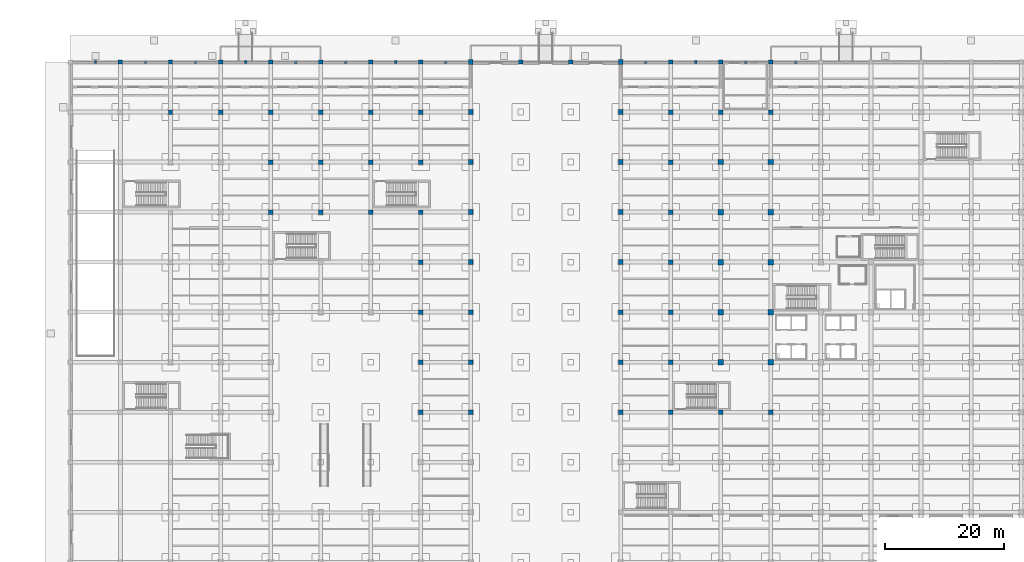
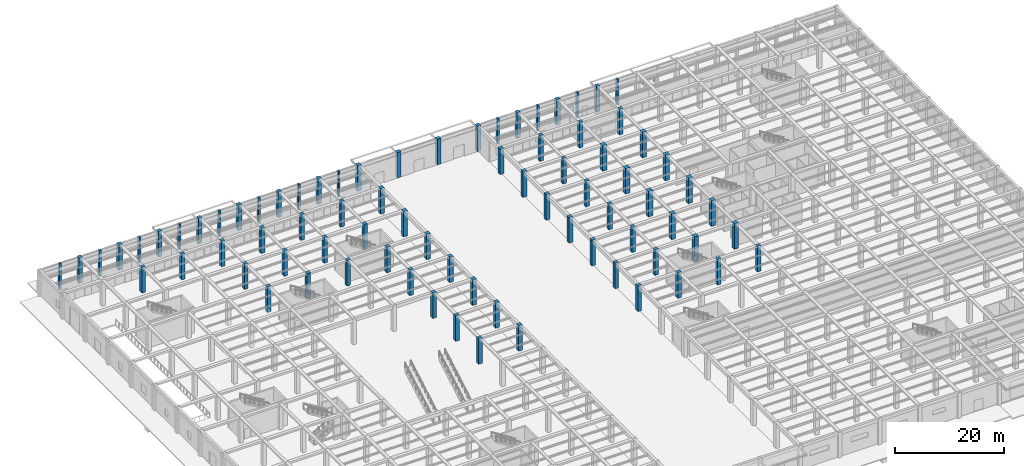
# One storey, part 2 of 43: 79 columns.
"""IFC4 building model written with IfcOpenShell, lengths in metres."""

import ifcopenshell
import ifcopenshell.guid

model = None  # the IFC model being written
_history = None  # IfcOwnerHistory: only IFC2X3 demands one
_inside = {}  # id of a spatial element -> (the spatial element, [elements in it])
_under = {}  # id of a project, library or spatial element -> (it, [spatial elements below it])
_declared = {}  # id of a project -> (the project, [libraries it declares])
_typed = {}  # id of a type object -> (the type object, [elements of that type])
_made_of = {}  # id of a material, layer set ... -> (it, [elements and type objects made of it])


def new_model(schema):
    """Start an empty IFC model of exactly this schema.

    Asked for "IFC4X3", IfcOpenShell would pick the latest addendum, in which some entities
    have other attributes; the version numbers below select the first issue.
    IFC2X3 requires an IfcOwnerHistory on every rooted entity: one is made here for all.
    """
    global model, _history
    if schema == "IFC4X3":
        model = ifcopenshell.file(schema_version=(4, 3, 0, 0))
    else:
        model = ifcopenshell.file(schema=schema)
    _inside.clear()
    _under.clear()
    _declared.clear()
    _typed.clear()
    _made_of.clear()
    _history = None
    if model.schema == "IFC2X3":
        org = make("IfcOrganization", Name="unknown")
        user = make(
            "IfcPersonAndOrganization",
            ThePerson=make("IfcPerson", FamilyName="unknown"),
            TheOrganization=org,
        )
        app = make(
            "IfcApplication",
            ApplicationDeveloper=org,
            Version="unknown",
            ApplicationFullName="unknown",
            ApplicationIdentifier="unknown",
        )
        _history = make(
            "IfcOwnerHistory",
            OwningUser=user,
            OwningApplication=app,
            ChangeAction="ADDED",
            CreationDate=0,
        )
    return model


def make(cls, **values):
    """One entity of the class cls with the attributes given. An attribute that is None is left unset."""
    return model.create_entity(
        cls, **{name: value for name, value in values.items() if value is not None}
    )


def rooted(cls, **values):
    """An entity with a GlobalId (a new one), such as an element, a storey or a relation."""
    return make(cls, GlobalId=ifcopenshell.guid.new(), OwnerHistory=_history, **values)


def si_unit(unit_type, name, prefix=None):
    """IfcSIUnit, for example si_unit("LENGTHUNIT", "METRE", prefix="MILLI")."""
    return make("IfcSIUnit", UnitType=unit_type, Prefix=prefix, Name=name)


def assignment(units):
    """IfcUnitAssignment: the units of a project."""
    return None if units is None else make("IfcUnitAssignment", Units=units)


def point(xyz):
    """IfcCartesianPoint."""
    return None if xyz is None else make("IfcCartesianPoint", Coordinates=xyz)


def direction(xyz):
    """IfcDirection."""
    return None if xyz is None else make("IfcDirection", DirectionRatios=xyz)


def frame(location, z_axis=None, x_axis=None):
    """IfcAxis2Placement3D, a coordinate frame: its origin and axes. An axis left out is left unset."""
    return make(
        "IfcAxis2Placement3D",
        Location=point(location),
        Axis=direction(z_axis),
        RefDirection=direction(x_axis),
    )


def frame_2d(location, x_axis=None):
    """IfcAxis2Placement2D, a coordinate frame in the plane: its origin and x axis."""
    return make(
        "IfcAxis2Placement2D", Location=point(location), RefDirection=direction(x_axis)
    )


def origin():
    """The frame at (0, 0, 0) with its axes left unset."""
    return frame((0.0, 0.0, 0.0))


def origin_2d():
    """The frame at (0, 0) in the plane with its x axis left unset."""
    return frame_2d((0.0, 0.0))


def place(relative_to, where):
    """IfcLocalPlacement: puts the frame where relative to a parent placement (None: the world)."""
    return make(
        "IfcLocalPlacement", PlacementRelTo=relative_to, RelativePlacement=where
    )


def context(
    kind, dimensions, precision=None, world=None, true_north=None, identifier=None
):
    """IfcGeometricRepresentationContext, for example the 3D "Model" context."""
    return make(
        "IfcGeometricRepresentationContext",
        ContextIdentifier=identifier,
        ContextType=kind,
        CoordinateSpaceDimension=dimensions,
        Precision=precision,
        WorldCoordinateSystem=world,
        TrueNorth=true_north,
    )


def subcontext(parent, identifier, kind, view, scale=None):
    """IfcGeometricRepresentationSubContext, for example "Body" below "Model"."""
    return make(
        "IfcGeometricRepresentationSubContext",
        ContextIdentifier=identifier,
        ContextType=kind,
        ParentContext=parent,
        TargetScale=scale,
        TargetView=view,
    )


def project(units=None, contexts=None):
    """IfcProject with its units and contexts."""
    return rooted(
        "IfcProject",
        Name="project",
        RepresentationContexts=contexts,
        UnitsInContext=assignment(units),
    )


def spatial(cls, under=None, at=None, **own):
    """A site, building, storey or space (cls), placed at a placement, below another one or the project."""
    s = rooted(cls, ObjectPlacement=at, **own)
    if under is not None:
        _under.setdefault(under.id(), (under, []))[1].append(s)
    return s


def profile(cls, at=None, kind="AREA", **sizes):
    """A parametric profile (cls). Its sizes go by their IFC names, for example OverallWidth=200.0."""
    return make(cls, ProfileType=kind, Position=at, **sizes)


def rectangle(**sizes):
    """IfcRectangleProfileDef."""
    return profile("IfcRectangleProfileDef", **sizes)


def extrude(swept, where, along, depth):
    """IfcExtrudedAreaSolid: the profile swept, set in the frame where, extruded along a direction by depth."""
    return make(
        "IfcExtrudedAreaSolid",
        SweptArea=swept,
        Position=where,
        ExtrudedDirection=direction(along),
        Depth=depth,
    )


def shape(context_of_items, identifier, shape_type, items):
    """IfcShapeRepresentation: the items that make up one representation, for example the "Body"."""
    return make(
        "IfcShapeRepresentation",
        ContextOfItems=context_of_items,
        RepresentationIdentifier=identifier,
        RepresentationType=shape_type,
        Items=items,
    )


def material(Name=None, Category=None):
    """IfcMaterial."""
    return make("IfcMaterial", Name=Name, Category=Category)


def material_profile(
    of_material, cross_section, Name=None, Category=None, Priority=None
):
    """IfcMaterialProfile: a cross section and its material."""
    return make(
        "IfcMaterialProfile",
        Name=Name,
        Material=of_material,
        Profile=cross_section,
        Priority=Priority,
        Category=Category,
    )


def profile_set(profiles, Name=None, composite=None):
    """IfcMaterialProfileSet."""
    return make(
        "IfcMaterialProfileSet",
        Name=Name,
        MaterialProfiles=profiles,
        CompositeProfile=composite,
    )


def made_of(thing, what):
    """Note that an element or type object is made of a material, layer set ...; save() writes the relation."""
    if what is not None:
        _made_of.setdefault(what.id(), (what, []))[1].append(thing)
    return thing


def type_object(cls, material=None, **own):
    """A type object (cls), such as IfcWallType, which elements share."""
    return made_of(rooted(cls, **own), material)


def element(
    cls,
    number,
    at=None,
    inside=None,
    cuts=None,
    type_object=None,
    material=None,
    context=None,
    identifier="Body",
    shape_type=None,
    held_by="IfcProductDefinitionShape",
    body=None,
    shapes=None,
    **own,
):
    """One element of the class cls, such as IfcWall. Its Tag is "e" and its number.

    at: its placement. inside: the storey or other place that contains it. cuts: it is an
    opening in that element (IfcRelVoidsElement). A single representation is given by context,
    identifier, shape_type and body (its items); several are given by shapes. held_by: the class
    of the entity that holds the representations. save() writes the other relations.
    """
    e = rooted(cls, Tag="e%d" % number, ObjectPlacement=at, **own)
    if body is not None:
        shapes = [shape(context, identifier, shape_type, body)]
    if shapes is not None:
        e.Representation = make(held_by, Representations=shapes)
    if inside is not None:
        _inside.setdefault(inside.id(), (inside, []))[1].append(e)
    if cuts is not None:
        rooted(
            "IfcRelVoidsElement", RelatingBuildingElement=cuts, RelatedOpeningElement=e
        )
    if type_object is not None:
        _typed.setdefault(type_object.id(), (type_object, []))[1].append(e)
    return made_of(e, material)


def aggregate(whole, parts):
    """IfcRelAggregates: a whole, such as a stair, and the parts it consists of."""
    return rooted("IfcRelAggregates", RelatingObject=whole, RelatedObjects=parts)


def save(model, path):
    """Write the relations noted so far, then the file.

    IfcRelAggregates (storeys below a building ...), IfcRelContainedInSpatialStructure (elements
    in a storey), IfcRelDefinesByType, IfcRelAssociatesMaterial and IfcRelDeclares: one each for
    every whole, place, type object, material and project.
    """
    for whole, parts in _under.values():
        aggregate(whole, parts)
    for where, things in _inside.values():
        rooted(
            "IfcRelContainedInSpatialStructure",
            RelatedElements=things,
            RelatingStructure=where,
        )
    for kind, things in _typed.values():
        rooted("IfcRelDefinesByType", RelatedObjects=things, RelatingType=kind)
    for what, things in _made_of.values():
        rooted("IfcRelAssociatesMaterial", RelatedObjects=things, RelatingMaterial=what)
    for by, libraries in _declared.values():
        rooted("IfcRelDeclares", RelatingContext=by, RelatedDefinitions=libraries)
    model.write(path)


model = new_model("IFC4")

# Units and contexts
model_context = context("Model", 3, precision=1e-05, world=origin(), true_north=direction((0.0, 1.0)))
body_context = subcontext(model_context, "Body", "Model", "MODEL_VIEW")
ifc_project = project(units=[si_unit("LENGTHUNIT", "METRE"), si_unit("AREAUNIT", "SQUARE_METRE"), si_unit("VOLUMEUNIT", "CUBIC_METRE"), si_unit("PLANEANGLEUNIT", "RADIAN"), si_unit("MASSUNIT", "GRAM", prefix="KILO")], contexts=[model_context])

# Site, building, storey
site_placement = place(None, origin())
site = spatial("IfcSite", under=ifc_project, at=site_placement, CompositionType="ELEMENT")
building_placement = place(site_placement, origin())
building = spatial("IfcBuilding", under=site, at=building_placement, Name="Almacenes y Pasaje Nevantli", CompositionType="ELEMENT")
storey_placement = place(building_placement, origin())
storey = spatial("IfcBuildingStorey", under=building, at=storey_placement, Name="L01", CompositionType="ELEMENT", Elevation=0.0)

# Columns
ifc_material_1 = material(Name="Concrete C45/55", Category="concrete")
ifc_material_profile_1 = material_profile(ifc_material_1, rectangle(XDim=0.75, YDim=0.75, at=origin_2d()), Name="RC-COL-750x750")
ifc_profile_set_1 = profile_set([ifc_material_profile_1], Name="Concrete C45/55")
column_type_1 = type_object("IfcColumnType", Name="COL-RC-750", PredefinedType="COLUMN", material=ifc_profile_set_1)
for number, where, z_axis, x_axis, name in (
    (1, (8.39990234375, 117.60009765625, 0.0), (0.0, 0.0, 1.0), (1.0, 0.0, 0.0), "L01 Reinforced Concrete Column CL-05 #705"),
    (2, (16.800048828125, 109.199951171875, 0.0), (0.0, 0.0, 1.0), (1.0, 0.0, 0.0), "L01 Reinforced Concrete Column CL-05 #716"),
    (3, (16.800048828125, 117.60009765625, 0.0), (0.0, 0.0, 1.0), (1.0, 0.0, 0.0), "L01 Reinforced Concrete Column CL-05 #717"),
    (4, (25.199951171875, 109.199951171875, 0.0), (0.0, 0.0, 1.0), (1.0, 0.0, 0.0), "L01 Reinforced Concrete Column CL-05 #731"),
    (5, (25.199951171875, 117.60009765625, 0.0), (0.0, 0.0, 1.0), (1.0, 0.0, 0.0), "L01 Reinforced Concrete Column CL-05 #732"),
    (6, (33.60009765625, 92.39990234375, 0.0), (0.0, 0.0, 1.0), (1.0, 0.0, 0.0), "L01 Reinforced Concrete Column CL-05 #744"),
    (7, (33.60009765625, 100.800048828125, 0.0), (0.0, 0.0, 1.0), (1.0, 0.0, 0.0), "L01 Reinforced Concrete Column CL-05 #745"),
    (8, (33.60009765625, 109.199951171875, 0.0), (0.0, 0.0, 1.0), (1.0, 0.0, 0.0), "L01 Reinforced Concrete Column CL-05 #746"),
    (9, (33.60009765625, 117.60009765625, 0.0), (0.0, 0.0, 1.0), (1.0, 0.0, 0.0), "L01 Reinforced Concrete Column CL-05 #747"),
    (10, (42.0, 92.39990234375, 0.0), (0.0, 0.0, 1.0), (1.0, 0.0, 0.0), "L01 Reinforced Concrete Column CL-05 #756"),
    (11, (42.0, 100.800048828125, 0.0), (0.0, 0.0, 1.0), (1.0, 0.0, 0.0), "L01 Reinforced Concrete Column CL-05 #757"),
    (12, (42.0, 109.199951171875, 0.0), (0.0, 0.0, 1.0), (1.0, 0.0, 0.0), "L01 Reinforced Concrete Column CL-05 #758"),
    (13, (42.0, 117.60009765625, 0.0), (0.0, 0.0, 1.0), (1.0, 0.0, 0.0), "L01 Reinforced Concrete Column CL-05 #759"),
    (14, (50.39990234375, 92.39990234375, 0.0), (0.0, 0.0, 1.0), (1.0, 0.0, 0.0), "L01 Reinforced Concrete Column CL-05 #768"),
    (15, (50.39990234375, 100.800048828125, 0.0), (0.0, 0.0, 1.0), (1.0, 0.0, 0.0), "L01 Reinforced Concrete Column CL-05 #769"),
    (16, (50.39990234375, 109.199951171875, 0.0), (0.0, 0.0, 1.0), (1.0, 0.0, 0.0), "L01 Reinforced Concrete Column CL-05 #770"),
    (17, (50.39990234375, 117.60009765625, 0.0), (0.0, 0.0, 1.0), (1.0, 0.0, 0.0), "L01 Reinforced Concrete Column CL-05 #771"),
    (18, (58.800048828125, 58.800048828125, 0.0), (0.0, 0.0, 1.0), (1.0, 0.0, 0.0), "L01 Reinforced Concrete Column CL-05 #779"),
    (19, (58.800048828125, 67.199951171875, 0.0), (0.0, 0.0, 1.0), (1.0, 0.0, 0.0), "L01 Reinforced Concrete Column CL-05 #780"),
    (20, (58.800048828125, 75.60009765625, 0.0), (0.0, 0.0, 1.0), (1.0, 0.0, 0.0), "L01 Reinforced Concrete Column CL-05 #781"),
    (21, (58.800048828125, 84.0, 0.0), (0.0, 0.0, 1.0), (1.0, 0.0, 0.0), "L01 Reinforced Concrete Column CL-05 #782"),
    (22, (58.800048828125, 92.39990234375, 0.0), (0.0, 0.0, 1.0), (1.0, 0.0, 0.0), "L01 Reinforced Concrete Column CL-05 #783"),
    (23, (58.800048828125, 100.800048828125, 0.0), (0.0, 0.0, 1.0), (1.0, 0.0, 0.0), "L01 Reinforced Concrete Column CL-05 #784"),
    (24, (58.800048828125, 109.199951171875, 0.0), (0.0, 0.0, 1.0), (1.0, 0.0, 0.0), "L01 Reinforced Concrete Column CL-05 #785"),
    (25, (58.800048828125, 117.60009765625, 0.0), (0.0, 0.0, 1.0), (1.0, 0.0, 0.0), "L01 Reinforced Concrete Column CL-05 #786"),
    (26, (75.60009765625, 117.60009765625, 0.0), (0.0, 0.0, 1.0), (1.0, 0.0, 0.0), "L01 Reinforced Concrete Column CL-05 #803"),
    (27, (84.0, 117.60009765625, 0.0), (0.0, 0.0, 1.0), (1.0, 0.0, 0.0), "L01 Reinforced Concrete Column CL-05 #805"),
    (28, (100.800048828125, 58.800048828125, 0.0), (0.0, 0.0, 1.0), (1.0, 0.0, 0.0), "L01 Reinforced Concrete Column CL-05 #828"),
    (29, (100.800048828125, 67.199951171875, 0.0), (0.0, 0.0, 1.0), (1.0, 0.0, 0.0), "L01 Reinforced Concrete Column CL-05 #829"),
    (30, (100.800048828125, 75.60009765625, 0.0), (0.0, 0.0, 1.0), (1.0, 0.0, 0.0), "L01 Reinforced Concrete Column CL-05 #830"),
    (31, (100.800048828125, 84.0, 0.0), (0.0, 0.0, 1.0), (1.0, 0.0, 0.0), "L01 Reinforced Concrete Column CL-05 #831"),
    (32, (100.800048828125, 92.39990234375, 0.0), (0.0, 0.0, 1.0), (1.0, 0.0, 0.0), "L01 Reinforced Concrete Column CL-05 #832"),
    (33, (100.800048828125, 100.800048828125, 0.0), (0.0, 0.0, 1.0), (1.0, 0.0, 0.0), "L01 Reinforced Concrete Column CL-05 #833"),
    (34, (100.800048828125, 109.199951171875, 0.0), (0.0, 0.0, 1.0), (1.0, 0.0, 0.0), "L01 Reinforced Concrete Column CL-05 #834"),
    (35, (100.800048828125, 117.60009765625, 0.0), (0.0, 0.0, 1.0), (1.0, 0.0, 0.0), "L01 Reinforced Concrete Column CL-05 #835"),
    (36, (109.199951171875, 58.800048828125, 0.0), (0.0, 0.0, 1.0), (1.0, 0.0, 0.0), "L01 Reinforced Concrete Column CL-05 #843"),
    (37, (109.199951171875, 109.199951171875, 0.0), (0.0, 0.0, 1.0), (1.0, 0.0, 0.0), "L01 Reinforced Concrete Column CL-05 #849"),
    (38, (109.199951171875, 117.60009765625, 0.0), (0.0, 0.0, 1.0), (1.0, 0.0, 0.0), "L01 Reinforced Concrete Column CL-05 #850"),
    (39, (117.60009765625, 58.800048828125, 0.0), (0.0, 0.0, 1.0), (1.0, 0.0, 0.0), "L01 Reinforced Concrete Column CL-05 #858"),
    (40, (117.60009765625, 109.199951171875, 0.0), (0.0, 0.0, 1.0), (1.0, 0.0, 0.0), "L01 Reinforced Concrete Column CL-05 #864"),
    (41, (117.60009765625, 117.60009765625, 0.0), (0.0, 0.0, 1.0), (1.0, 0.0, 0.0), "L01 Reinforced Concrete Column CL-05 #865"),
):
    element("IfcColumn", number, at=place(storey_placement, frame(where, z_axis=z_axis, x_axis=x_axis)), inside=storey, type_object=column_type_1, Name=name, PredefinedType="COLUMN", context=body_context, shape_type="SweptSolid", body=[
        extrude(rectangle(XDim=0.75, YDim=0.75, at=origin_2d()), origin(), (0.0, 0.0, 1.0), 5.699951171875),
    ])
ifc_material_2 = material(Name="Concrete C45/55", Category="concrete")
ifc_material_profile_2 = material_profile(ifc_material_2, rectangle(XDim=0.800048828125, YDim=0.800048828125, at=origin_2d()), Name="RC-COL-800x800")
ifc_profile_set_2 = profile_set([ifc_material_profile_2], Name="Concrete C45/55")
column_type_2 = type_object("IfcColumnType", Name="COL-RC-800", PredefinedType="COLUMN", material=ifc_profile_set_2)
for number, where, z_axis, x_axis, name in (
    (42, (67.199951171875, 58.800048828125, 0.0), (0.0, 0.0, 1.0), (1.0, 0.0, 0.0), "L01 Reinforced Concrete Column CL-04 #794"),
    (43, (67.199951171875, 67.199951171875, 0.0), (0.0, 0.0, 1.0), (1.0, 0.0, 0.0), "L01 Reinforced Concrete Column CL-04 #795"),
    (44, (67.199951171875, 75.60009765625, 0.0), (0.0, 0.0, 1.0), (1.0, 0.0, 0.0), "L01 Reinforced Concrete Column CL-04 #796"),
    (45, (67.199951171875, 84.0, 0.0), (0.0, 0.0, 1.0), (1.0, 0.0, 0.0), "L01 Reinforced Concrete Column CL-04 #797"),
    (46, (67.199951171875, 92.39990234375, 0.0), (0.0, 0.0, 1.0), (1.0, 0.0, 0.0), "L01 Reinforced Concrete Column CL-04 #798"),
    (47, (67.199951171875, 100.800048828125, 0.0), (0.0, 0.0, 1.0), (1.0, 0.0, 0.0), "L01 Reinforced Concrete Column CL-04 #799"),
    (48, (67.199951171875, 109.199951171875, 0.0), (0.0, 0.0, 1.0), (1.0, 0.0, 0.0), "L01 Reinforced Concrete Column CL-04 #800"),
    (49, (67.199951171875, 117.60009765625, 0.0), (0.0, 0.0, 1.0), (1.0, 0.0, 0.0), "L01 Reinforced Concrete Column CL-04 #801"),
    (50, (92.39990234375, 58.800048828125, 0.0), (0.0, 0.0, 1.0), (1.0, 0.0, 0.0), "L01 Reinforced Concrete Column CL-04 #813"),
    (51, (92.39990234375, 67.199951171875, 0.0), (0.0, 0.0, 1.0), (1.0, 0.0, 0.0), "L01 Reinforced Concrete Column CL-04 #814"),
    (52, (92.39990234375, 75.60009765625, 0.0), (0.0, 0.0, 1.0), (1.0, 0.0, 0.0), "L01 Reinforced Concrete Column CL-04 #815"),
    (53, (92.39990234375, 84.0, 0.0), (0.0, 0.0, 1.0), (1.0, 0.0, 0.0), "L01 Reinforced Concrete Column CL-04 #816"),
    (54, (92.39990234375, 92.39990234375, 0.0), (0.0, 0.0, 1.0), (1.0, 0.0, 0.0), "L01 Reinforced Concrete Column CL-04 #817"),
    (55, (92.39990234375, 100.800048828125, 0.0), (0.0, 0.0, 1.0), (1.0, 0.0, 0.0), "L01 Reinforced Concrete Column CL-04 #818"),
    (56, (92.39990234375, 109.199951171875, 0.0), (0.0, 0.0, 1.0), (1.0, 0.0, 0.0), "L01 Reinforced Concrete Column CL-04 #819"),
    (57, (92.39990234375, 117.60009765625, 0.0), (0.0, 0.0, 1.0), (1.0, 0.0, 0.0), "L01 Reinforced Concrete Column CL-04 #820"),
):
    element("IfcColumn", number, at=place(storey_placement, frame(where, z_axis=z_axis, x_axis=x_axis)), inside=storey, type_object=column_type_2, Name=name, PredefinedType="COLUMN", context=body_context, shape_type="SweptSolid", body=[
        extrude(rectangle(XDim=0.800048828125, YDim=0.800048828125, at=origin_2d()), origin(), (0.0, 0.0, 1.0), 5.699951171875),
    ])
ifc_material_3 = material(Name="Concrete C45/55", Category="concrete")
ifc_material_profile_3 = material_profile(ifc_material_3, rectangle(XDim=0.89990234375, YDim=0.89990234375, at=origin_2d()), Name="RC-COL-900x900")
ifc_profile_set_3 = profile_set([ifc_material_profile_3], Name="Concrete C45/55")
column_type_3 = type_object("IfcColumnType", Name="COL-RC-900", PredefinedType="COLUMN", material=ifc_profile_set_3)
for number, where, z_axis, x_axis, name in (
    (58, (109.199951171875, 67.199951171875, 0.0), (0.0, 0.0, 1.0), (1.0, 0.0, 0.0), "L01 Reinforced Concrete Column CL-02 #844"),
    (59, (109.199951171875, 75.60009765625, 0.0), (0.0, 0.0, 1.0), (1.0, 0.0, 0.0), "L01 Reinforced Concrete Column CL-02 #845"),
    (60, (109.199951171875, 84.0, 0.0), (0.0, 0.0, 1.0), (1.0, 0.0, 0.0), "L01 Reinforced Concrete Column CL-02 #846"),
    (61, (109.199951171875, 92.39990234375, 0.0), (0.0, 0.0, 1.0), (1.0, 0.0, 0.0), "L01 Reinforced Concrete Column CL-02 #847"),
    (62, (109.199951171875, 100.800048828125, 0.0), (0.0, 0.0, 1.0), (1.0, 0.0, 0.0), "L01 Reinforced Concrete Column CL-02 #848"),
    (63, (117.60009765625, 67.199951171875, 0.0), (0.0, 0.0, 1.0), (1.0, 0.0, 0.0), "L01 Reinforced Concrete Column CL-02 #859"),
    (64, (117.60009765625, 75.60009765625, 0.0), (0.0, 0.0, 1.0), (1.0, 0.0, 0.0), "L01 Reinforced Concrete Column CL-02 #860"),
    (65, (117.60009765625, 84.0, 0.0), (0.0, 0.0, 1.0), (1.0, 0.0, 0.0), "L01 Reinforced Concrete Column CL-02 #861"),
    (66, (117.60009765625, 92.39990234375, 0.0), (0.0, 0.0, 1.0), (1.0, 0.0, 0.0), "L01 Reinforced Concrete Column CL-02 #862"),
    (67, (117.60009765625, 100.800048828125, 0.0), (0.0, 0.0, 1.0), (1.0, 0.0, 0.0), "L01 Reinforced Concrete Column CL-02 #863"),
):
    element("IfcColumn", number, at=place(storey_placement, frame(where, z_axis=z_axis, x_axis=x_axis)), inside=storey, type_object=column_type_3, Name=name, PredefinedType="COLUMN", context=body_context, shape_type="SweptSolid", body=[
        extrude(rectangle(XDim=0.89990234375, YDim=0.89990234375, at=origin_2d()), origin(), (0.0, 0.0, 1.0), 5.699951171875),
    ])
ifc_material_4 = material(Name="Concrete C45/55", Category="concrete")
ifc_material_profile_4 = material_profile(ifc_material_4, rectangle(XDim=0.39990234375, YDim=0.550048828125, at=origin_2d()), Name="RC-PIL-400x550")
ifc_profile_set_4 = profile_set([ifc_material_profile_4], Name="Concrete C45/55")
column_type_4 = type_object("IfcColumnType", Name="PIL-RC-400x550", PredefinedType="PILASTER", material=ifc_profile_set_4)
for number, where, z_axis, x_axis, name in (
    (68, (4.199951171875, 117.60009765625, 0.0), (0.0, 0.0, 1.0), (1.0, 0.0, 0.0), "L01 North Boulevard Portales Pilaster #1"),
    (69, (12.60009765625, 117.60009765625, 0.0), (0.0, 0.0, 1.0), (1.0, 0.0, 0.0), "L01 North Boulevard Portales Pilaster #2"),
    (70, (21.0, 117.60009765625, 0.0), (0.0, 0.0, 1.0), (1.0, 0.0, 0.0), "L01 North Boulevard Portales Pilaster #3"),
    (71, (29.39990234375, 117.60009765625, 0.0), (0.0, 0.0, 1.0), (1.0, 0.0, 0.0), "L01 North Boulevard Portales Pilaster #4"),
    (72, (37.800048828125, 117.60009765625, 0.0), (0.0, 0.0, 1.0), (1.0, 0.0, 0.0), "L01 North Boulevard Portales Pilaster #5"),
    (73, (46.199951171875, 117.60009765625, 0.0), (0.0, 0.0, 1.0), (1.0, 0.0, 0.0), "L01 North Boulevard Portales Pilaster #6"),
    (74, (54.60009765625, 117.60009765625, 0.0), (0.0, 0.0, 1.0), (1.0, 0.0, 0.0), "L01 North Boulevard Portales Pilaster #7"),
    (75, (63.0, 117.60009765625, 0.0), (0.0, 0.0, 1.0), (1.0, 0.0, 0.0), "L01 North Boulevard Portales Pilaster #8"),
    (76, (96.60009765625, 117.60009765625, 0.0), (0.0, 0.0, 1.0), (1.0, 0.0, 0.0), "L01 North Boulevard Portales Pilaster #12"),
    (77, (105.0, 117.60009765625, 0.0), (0.0, 0.0, 1.0), (1.0, 0.0, 0.0), "L01 North Boulevard Portales Pilaster #13"),
    (78, (113.39990234375, 117.60009765625, 0.0), (0.0, 0.0, 1.0), (1.0, 0.0, 0.0), "L01 North Boulevard Portales Pilaster #14"),
    (79, (121.800048828125, 117.60009765625, 0.0), (0.0, 0.0, 1.0), (1.0, 0.0, 0.0), "L01 North Boulevard Portales Pilaster #15"),
):
    element("IfcColumn", number, at=place(storey_placement, frame(where, z_axis=z_axis, x_axis=x_axis)), inside=storey, type_object=column_type_4, Name=name, PredefinedType="PILASTER", context=body_context, shape_type="SweptSolid", body=[
        extrude(rectangle(XDim=0.39990234375, YDim=0.550048828125, at=origin_2d()), origin(), (0.0, 0.0, 1.0), 5.699951171875),
    ])

save(model, "model.ifc")
